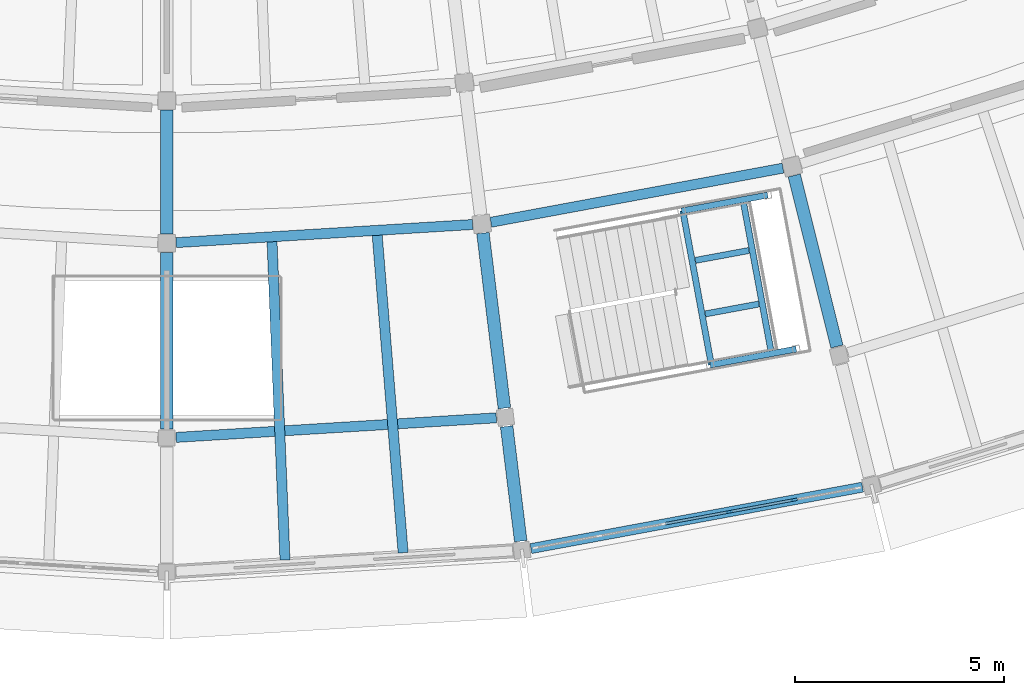
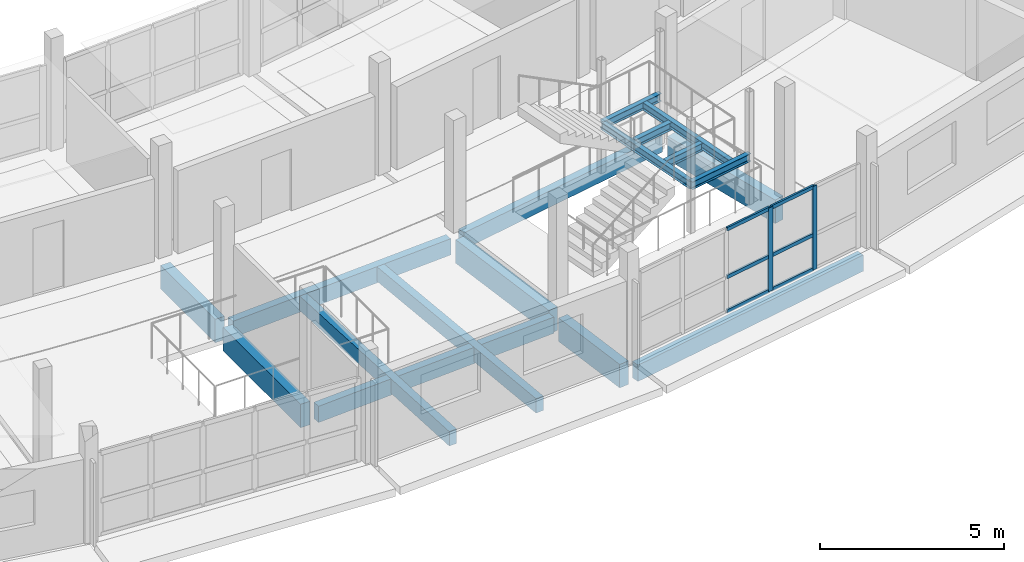
# One storey, part 24 of 77: 17 beams, 8 members, 1 element without a shape of its own.
"""IFC4 building model written with IfcOpenShell, lengths in metres."""

from ifc_helpers import new_model, si_unit, direction, frame, origin, origin_2d, place, context, subcontext, project, spatial, rectangle, i_section, extrude, material, layer, layer_set, material_profile, profile_set, type_object, element, aggregate, save


model = new_model("IFC4")

# Units and contexts
model_context = context("Model", 3, precision=1e-05, world=origin(), true_north=direction((0.0, 1.0)))
body_context = subcontext(model_context, "Body", "Model", "MODEL_VIEW")
ifc_project = project(units=[si_unit("LENGTHUNIT", "METRE"), si_unit("AREAUNIT", "SQUARE_METRE"), si_unit("VOLUMEUNIT", "CUBIC_METRE"), si_unit("PLANEANGLEUNIT", "RADIAN"), si_unit("MASSUNIT", "GRAM", prefix="KILO")], contexts=[model_context])

# Site, building, storey
site_placement = place(None, origin())
site = spatial("IfcSite", under=ifc_project, at=site_placement, CompositionType="ELEMENT")
building_placement = place(site_placement, origin())
building = spatial("IfcBuilding", under=site, at=building_placement, Name="Caldaven Crescent School", CompositionType="ELEMENT")
storey_placement = place(building_placement, frame((0.0, 0.0, 4.419921875)))
storey = spatial("IfcBuildingStorey", under=building, at=storey_placement, Name="L01", CompositionType="ELEMENT", Elevation=4.419921875)

# Beams
ifc_material_1 = material(Name="Glulam MLE24h (GL28h)", Category="wood")
ifc_material_profile_1 = material_profile(ifc_material_1, rectangle(XDim=0.239990234375, YDim=0.5400390625, at=origin_2d()), Name="MLE 240x540")
ifc_profile_set_1 = profile_set([ifc_material_profile_1], Name="Glulam MLE24h (GL28h)")
beam_type_1 = type_object("IfcBeamType", Name="BM-GL54", PredefinedType="BEAM", material=ifc_profile_set_1)
beam_1_placement = place(storey_placement, frame((88.219482421875, 34.3134765625, -0.489990234375), z_axis=(0.998134331025, 0.061056180933, 0.0), x_axis=(-0.061056180933, 0.998134331025, 0.0)))
element("IfcBeam", 1, at=beam_1_placement, inside=storey, type_object=beam_type_1, Name="BMT-V5-L01-1048", PredefinedType="BEAM", context=body_context, shape_type="SweptSolid", body=[
    extrude(rectangle(XDim=0.239990234375, YDim=0.5400390625, at=origin_2d()), origin(), (0.0, 0.0, 1.0), 7.093505859375),
])
beam_2_placement = place(storey_placement, frame((88.219482421875, 29.663330078125, -0.489990234375), z_axis=(0.998134284953, 0.061056934103, 0.0), x_axis=(-0.061056934103, 0.998134284953, 0.0)))
element("IfcBeam", 2, at=beam_2_placement, inside=storey, type_object=beam_type_1, Name="BMT-V5-L01-1049", PredefinedType="BEAM", context=body_context, shape_type="SweptSolid", body=[
    extrude(rectangle(XDim=0.239990234375, YDim=0.5400390625, at=origin_2d()), origin(), (0.0, 0.0, 1.0), 7.661376953125),
])
beam_3_placement = place(storey_placement, frame((95.735595703125, 34.800048828125, -0.489990234375), z_axis=(0.983253463405, 0.182243317304, 0.0), x_axis=(-0.182243317304, 0.983253463405, 0.0)))
element("IfcBeam", 3, at=beam_3_placement, inside=storey, type_object=beam_type_1, Name="BMT-V5-L01-1057", PredefinedType="BEAM", context=body_context, shape_type="SweptSolid", body=[
    extrude(rectangle(XDim=0.239990234375, YDim=0.5400390625, at=origin_2d()), origin(), (0.0, 0.0, 1.0), 7.093505859375),
])
ifc_material_profile_2 = material_profile(ifc_material_1, rectangle(XDim=0.300048828125, YDim=0.780029296875, at=origin_2d()), Name="MLE 300x780")
ifc_profile_set_2 = profile_set([ifc_material_profile_2], Name="Glulam MLE24h (GL28h)")
beam_type_2 = type_object("IfcBeamType", Name="BM-GL78", PredefinedType="BEAM", material=ifc_profile_set_2)
beam_4_placement = place(storey_placement, frame((88.0, 37.47998046875, -0.60986328125), z_axis=(0.0, -1.0, 0.0), x_axis=(1.0, 0.0, 0.0)))
element("IfcBeam", 4, at=beam_4_placement, inside=storey, type_object=beam_type_2, Name="BMR-V5-L01-1009", PredefinedType="BEAM", context=body_context, shape_type="SweptSolid", body=[
    extrude(rectangle(XDim=0.300048828125, YDim=0.780029296875, at=origin_2d()), origin(), (0.0, 0.0, 1.0), 2.9599609375),
])
for number, where, z_axis, x_axis, name in (
    (5, (88.0, 34.080078125, -0.60986328125), (0.0, -1.0, 0.0), (1.0, 0.0, 0.0), "BMR-V5-L01-1010"),
    (6, (95.546142578125, 34.54150390625, -0.60986328125), (0.121900322191, -0.992542347434, 0.0), (0.992542347434, 0.121900322191, 0.0), "BMR-V5-L01-1014"),
):
    element("IfcBeam", number, at=place(storey_placement, frame(where, z_axis=z_axis, x_axis=x_axis)), inside=storey, type_object=beam_type_2, Name=name, PredefinedType="BEAM", context=body_context, shape_type="SweptSolid", body=[
        extrude(rectangle(XDim=0.300048828125, YDim=0.780029296875, at=origin_2d()), origin(), (0.0, 0.0, 1.0), 4.2099609375),
    ])
beam_5_placement = place(storey_placement, frame((96.11279296875, 29.92626953125, -0.60986328125), z_axis=(0.121889772755, -0.992543643019, 0.0), x_axis=(0.992543643019, 0.121889772755, 0.0)))
element("IfcBeam", 7, at=beam_5_placement, inside=storey, type_object=beam_type_2, Name="BMR-V5-L01-1015", PredefinedType="BEAM", context=body_context, shape_type="SweptSolid", body=[
    extrude(rectangle(XDim=0.300048828125, YDim=0.780029296875, at=origin_2d()), origin(), (0.0, 0.0, 1.0), 2.760009765625),
])
beam_6_placement = place(storey_placement, frame((102.979736328125, 35.919189453125, -0.60986328125), z_axis=(0.24193520923, -0.970292406718, 0.0), x_axis=(0.970292406718, 0.24193520923, 0.0)))
element("IfcBeam", 8, at=beam_6_placement, inside=storey, type_object=beam_type_2, Name="BMR-V5-L01-1018", PredefinedType="BEAM", context=body_context, shape_type="SweptSolid", body=[
    extrude(rectangle(XDim=0.300048828125, YDim=0.780029296875, at=origin_2d()), origin(), (0.0, 0.0, 1.0), 4.2099609375),
])
ifc_material_2 = material(Name="Steel ASTM A572 Grade 50", Category="steel")
ifc_material_profile_3 = material_profile(ifc_material_2, i_section(OverallWidth=0.14599609375, OverallDepth=0.258056640625, WebThickness=0.006103515625, FlangeThickness=0.009033203125, FilletRadius=0.011962890625, at=origin_2d()), Name="W250x33")
ifc_profile_set_3 = profile_set([ifc_material_profile_3], Name="Steel ASTM A572 Grade 50")
beam_type_3 = type_object("IfcBeamType", Name="BM-W25", PredefinedType="BEAM", material=ifc_profile_set_3)
for number, where, z_axis, x_axis, name in (
    (9, (100.97119140625, 31.391845703125, 1.546142578125), (0.983254881215, 0.18223566766, 0.0), (-0.18223566766, 0.983254881215, 0.0), "BM-STSIDE-ST3-L01-SL"),
    (10, (100.28955078125, 35.0693359375, 1.546142578125), (0.983254881215, 0.18223566766, 0.0), (-0.18223566766, 0.983254881215, 0.0), "BM-STSIDE-ST3-L01-SR"),
):
    element("IfcBeam", number, at=place(storey_placement, frame(where, z_axis=z_axis, x_axis=x_axis)), inside=storey, type_object=beam_type_3, Name=name, PredefinedType="BEAM", context=body_context, shape_type="SweptSolid", body=[
        extrude(i_section(OverallWidth=0.14599609375, OverallDepth=0.258056640625, WebThickness=0.006103515625, FlangeThickness=0.009033203125, FilletRadius=0.011962890625, at=origin_2d()), origin(), (0.0, 0.0, 1.0), 2.08984375),
    ])
for number, where, z_axis, x_axis, name in (
    (11, (101.00048828125, 31.3974609375, 1.546142578125), (-0.182199128441, 0.983261652662, 0.0), (-0.983261652662, -0.182199128441, 0.0), "BM-STLND-ST3-L01-IN"),
    (12, (102.43603515625, 31.66357421875, 1.546142578125), (-0.182199128441, 0.983261652662, 0.0), (-0.983261652662, -0.182199128441, 0.0), "BM-STLND-ST3-L01-OUT"),
):
    element("IfcBeam", number, at=place(storey_placement, frame(where, z_axis=z_axis, x_axis=x_axis)), inside=storey, type_object=beam_type_3, Name=name, PredefinedType="BEAM", context=body_context, shape_type="SweptSolid", body=[
        extrude(i_section(OverallWidth=0.14599609375, OverallDepth=0.258056640625, WebThickness=0.006103515625, FlangeThickness=0.009033203125, FilletRadius=0.011962890625, at=origin_2d()), origin(), (0.0, 0.0, 1.0), 3.73974609375),
    ])

# Curtain wall, members
ifc_material_3 = material(Name="Anodised aluminium AA 6063-T6 and low-E double glazing", Category="aluminium")
ifc_layer = layer(ifc_material_3, 0.169921875)
ifc_layer_set = layer_set([ifc_layer], Name="Anodised aluminium AA 6063-T6 and low-E double glazing")
curtain_wall_type = type_object("IfcCurtainWallType", Name="CW-SYS1", PredefinedType="NOTDEFINED", material=ifc_layer_set)
curtain_wall_placement = place(storey_placement, origin())
curtain_wall = element("IfcCurtainWall", 13, at=curtain_wall_placement, inside=storey, type_object=curtain_wall_type, Name="CW-L01-128", PredefinedType="NOTDEFINED")
ifc_material_4 = material(Name="Anodised aluminium AA 6063-T6", Category="aluminium")
ifc_material_profile_4 = material_profile(ifc_material_4, rectangle(XDim=0.06005859375, YDim=0.14990234375, at=origin_2d()), Name="CWM 60x150")
ifc_profile_set_4 = profile_set([ifc_material_profile_4], Name="Anodised aluminium AA 6063-T6")
member_type_1 = type_object("IfcMemberType", Name="CWM-T1", PredefinedType="MULLION", material=ifc_profile_set_4)
member_1_placement = place(storey_placement, frame((101.4267578125, 27.885986328125, 0.0), z_axis=(0.0, 0.0, 1.0), x_axis=(-0.182234865564, 0.983255029874, 0.0)))
member_1 = element("IfcMember", 14, at=member_1_placement, type_object=member_type_1, Name="CW1 mullion 4", PredefinedType="MULLION", context=body_context, shape_type="SweptSolid", body=[
    extrude(rectangle(XDim=0.06005859375, YDim=0.14990234375, at=origin_2d()), origin(), (0.0, 0.0, 1.0), 2.780029296875),
])
member_2_placement = place(storey_placement, frame((102.978759765625, 28.173583984375, 0.0), z_axis=(0.0, 0.0, 1.0), x_axis=(-0.182234865564, 0.983255029874, 0.0)))
member_2 = element("IfcMember", 15, at=member_2_placement, type_object=member_type_1, Name="CW1 mullion 5", PredefinedType="MULLION", context=body_context, shape_type="SweptSolid", body=[
    extrude(rectangle(XDim=0.06005859375, YDim=0.14990234375, at=origin_2d()), origin(), (0.0, 0.0, 1.0), 2.780029296875),
])
ifc_material_profile_5 = material_profile(ifc_material_4, rectangle(XDim=0.06005859375, YDim=0.1201171875, at=origin_2d()), Name="CWT 60x120")
ifc_profile_set_5 = profile_set([ifc_material_profile_5], Name="Anodised aluminium AA 6063-T6")
member_type_2 = type_object("IfcMemberType", Name="CWT-T1", PredefinedType="USERDEFINED", material=ifc_profile_set_5)
member_3_placement = place(storey_placement, frame((99.904296875, 27.603759765625, 0.030029296875), z_axis=(0.983236124961, 0.182336838218, 0.0), x_axis=(-0.182336838218, 0.983236124961, 0.0)))
member_3 = element("IfcMember", 16, at=member_3_placement, type_object=member_type_2, Name="CW1 transom 3.1", ObjectType="TRANSOM", PredefinedType="USERDEFINED", context=body_context, shape_type="SweptSolid", body=[
    extrude(rectangle(XDim=0.06005859375, YDim=0.1201171875, at=origin_2d()), origin(), (0.0, 0.0, 1.0), 1.518310546875),
])
member_4_placement = place(storey_placement, frame((99.904296875, 27.603759765625, 1.16796875), z_axis=(0.983236124961, 0.182336838218, 0.0), x_axis=(-0.182336838218, 0.983236124961, 0.0)))
member_4 = element("IfcMember", 17, at=member_4_placement, type_object=member_type_2, Name="CW1 transom 3.2", ObjectType="TRANSOM", PredefinedType="USERDEFINED", context=body_context, shape_type="SweptSolid", body=[
    extrude(rectangle(XDim=0.06005859375, YDim=0.1201171875, at=origin_2d()), origin(), (0.0, 0.0, 1.0), 1.518310546875),
])
member_5_placement = place(storey_placement, frame((99.904296875, 27.603759765625, 2.75), z_axis=(0.983236124961, 0.182336838218, 0.0), x_axis=(-0.182336838218, 0.983236124961, 0.0)))
member_5 = element("IfcMember", 18, at=member_5_placement, type_object=member_type_2, Name="CW1 transom 3.3", ObjectType="TRANSOM", PredefinedType="USERDEFINED", context=body_context, shape_type="SweptSolid", body=[
    extrude(rectangle(XDim=0.06005859375, YDim=0.1201171875, at=origin_2d()), origin(), (0.0, 0.0, 1.0), 1.518310546875),
])
member_6_placement = place(storey_placement, frame((101.456298828125, 27.891357421875, 0.030029296875), z_axis=(0.983236124961, 0.182336838218, 0.0), x_axis=(-0.182336838218, 0.983236124961, 0.0)))
member_6 = element("IfcMember", 19, at=member_6_placement, type_object=member_type_2, Name="CW1 transom 4.1", ObjectType="TRANSOM", PredefinedType="USERDEFINED", context=body_context, shape_type="SweptSolid", body=[
    extrude(rectangle(XDim=0.06005859375, YDim=0.1201171875, at=origin_2d()), origin(), (0.0, 0.0, 1.0), 1.518310546875),
])
member_7_placement = place(storey_placement, frame((101.456298828125, 27.891357421875, 1.16796875), z_axis=(0.983236124961, 0.182336838218, 0.0), x_axis=(-0.182336838218, 0.983236124961, 0.0)))
member_7 = element("IfcMember", 20, at=member_7_placement, type_object=member_type_2, Name="CW1 transom 4.2", ObjectType="TRANSOM", PredefinedType="USERDEFINED", context=body_context, shape_type="SweptSolid", body=[
    extrude(rectangle(XDim=0.06005859375, YDim=0.1201171875, at=origin_2d()), origin(), (0.0, 0.0, 1.0), 1.518310546875),
])
member_8_placement = place(storey_placement, frame((101.456298828125, 27.891357421875, 2.75), z_axis=(0.983236124961, 0.182336838218, 0.0), x_axis=(-0.182336838218, 0.983236124961, 0.0)))
member_8 = element("IfcMember", 21, at=member_8_placement, type_object=member_type_2, Name="CW1 transom 4.3", ObjectType="TRANSOM", PredefinedType="USERDEFINED", context=body_context, shape_type="SweptSolid", body=[
    extrude(rectangle(XDim=0.06005859375, YDim=0.1201171875, at=origin_2d()), origin(), (0.0, 0.0, 1.0), 1.518310546875),
])
aggregate(curtain_wall, [member_1, member_2, member_3, member_4, member_5, member_6, member_7, member_8])

# Beams
ifc_material_profile_6 = material_profile(ifc_material_1, rectangle(XDim=0.239990234375, YDim=0.47998046875, at=origin_2d()), Name="MLE 240x480")
ifc_profile_set_6 = profile_set([ifc_material_profile_6], Name="Glulam MLE24h (GL28h)")
beam_type_4 = type_object("IfcBeamType", Name="JS-GL48", PredefinedType="JOIST", material=ifc_profile_set_6)
for number, where, z_axis, x_axis, name in (
    (22, (90.51123046875, 34.33837890625, -0.4599609375), (0.040664012435, -0.99917287698, 0.0), (0.99917287698, 0.040664012435, 0.0), "JSR-V5-L01-1052"),
    (23, (93.022216796875, 34.491943359375, -0.4599609375), (0.081390637837, -0.996682278398, 0.0), (0.996682278398, 0.081390637837, 0.0), "JSR-V5-L01-1054"),
):
    element("IfcBeam", number, at=place(storey_placement, frame(where, z_axis=z_axis, x_axis=x_axis)), inside=storey, type_object=beam_type_4, Name=name, PredefinedType="JOIST", context=body_context, shape_type="SweptSolid", body=[
        extrude(rectangle(XDim=0.239990234375, YDim=0.47998046875, at=origin_2d()), origin(), (0.0, 0.0, 1.0), 7.60693359375),
    ])
ifc_material_profile_7 = material_profile(ifc_material_2, i_section(OverallWidth=0.14599609375, OverallDepth=0.258056640625, WebThickness=0.006103515625, FlangeThickness=0.009033203125, FilletRadius=0.011962890625, at=origin_2d()), Name="W250x33")
ifc_profile_set_7 = profile_set([ifc_material_profile_7], Name="Steel ASTM A572 Grade 50")
beam_type_5 = type_object("IfcBeamType", Name="LN-W25", PredefinedType="LINTEL", material=ifc_profile_set_7)
beam_7_placement = place(storey_placement, frame((100.85693359375, 32.611572265625, 1.546142578125), z_axis=(0.983269549753, 0.182156505588, 0.0), x_axis=(-0.182156505588, 0.983269549753, 0.0)))
element("IfcBeam", 24, at=beam_7_placement, inside=storey, type_object=beam_type_5, Name="BM-STJST-ST3-L01-JL", PredefinedType="LINTEL", context=body_context, shape_type="SweptSolid", body=[
    extrude(i_section(OverallWidth=0.14599609375, OverallDepth=0.258056640625, WebThickness=0.006103515625, FlangeThickness=0.009033203125, FilletRadius=0.011962890625, at=origin_2d()), origin(), (0.0, 0.0, 1.0), 1.300048828125),
])
beam_8_placement = place(storey_placement, frame((100.6201171875, 33.8896484375, 1.546142578125), z_axis=(0.983229654228, 0.182371727651, 0.0), x_axis=(-0.182371727651, 0.983229654228, 0.0)))
element("IfcBeam", 25, at=beam_8_placement, inside=storey, type_object=beam_type_5, Name="BM-STJST-ST3-L01-JR", PredefinedType="LINTEL", context=body_context, shape_type="SweptSolid", body=[
    extrude(i_section(OverallWidth=0.14599609375, OverallDepth=0.258056640625, WebThickness=0.006103515625, FlangeThickness=0.009033203125, FilletRadius=0.011962890625, at=origin_2d()), origin(), (0.0, 0.0, 1.0), 1.2998046875),
])
ifc_material_profile_8 = material_profile(ifc_material_1, rectangle(XDim=0.239990234375, YDim=0.5400390625, at=origin_2d()), Name="MLE 240x540")
ifc_profile_set_8 = profile_set([ifc_material_profile_8], Name="Glulam MLE24h (GL28h)")
beam_type_6 = type_object("IfcBeamType", Name="SP-GL54", PredefinedType="SPANDREL", material=ifc_profile_set_8)
beam_9_placement = place(storey_placement, frame((96.6923828125, 27.008544921875, -0.489990234375), z_axis=(0.983255855888, 0.182230408717, 0.0), x_axis=(-0.182230408717, 0.983255855888, 0.0)))
element("IfcBeam", 26, at=beam_9_placement, inside=storey, type_object=beam_type_6, Name="BMT-V5-L01-1058", PredefinedType="SPANDREL", context=body_context, shape_type="SweptSolid", body=[
    extrude(rectangle(XDim=0.239990234375, YDim=0.5400390625, at=origin_2d()), origin(), (0.0, 0.0, 1.0), 8.0517578125),
])

save(model, "model.ifc")
